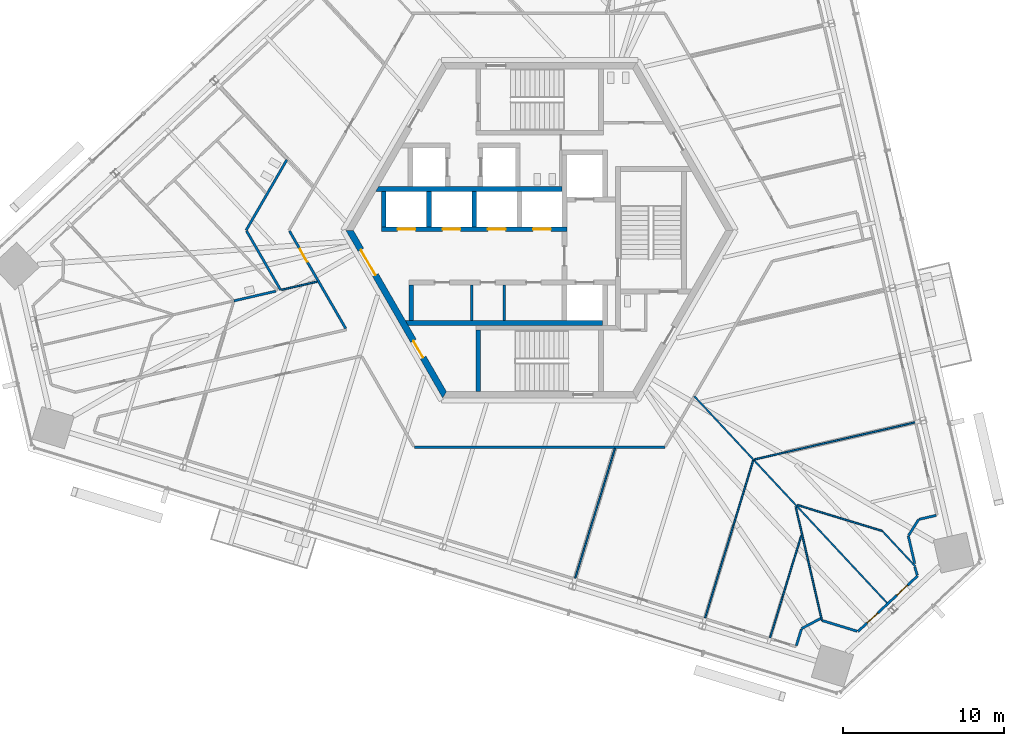
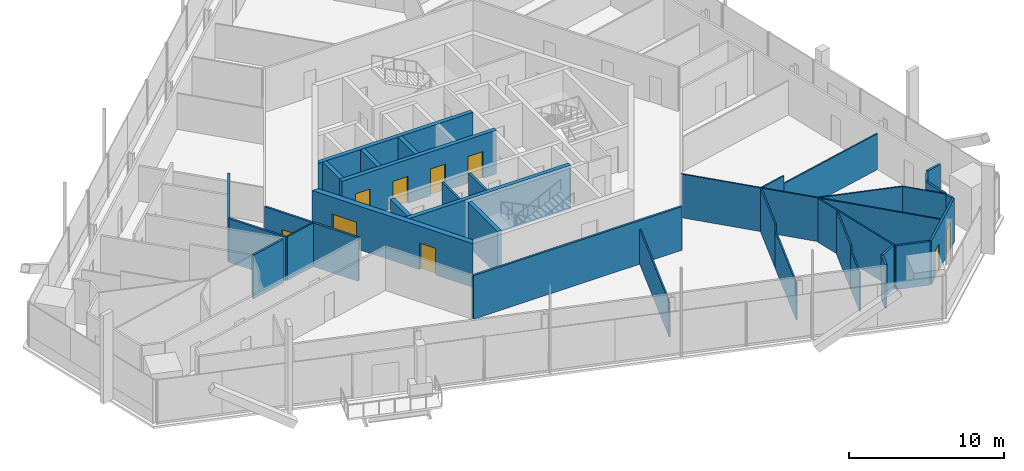
# One storey, part 13 of 24: 36 walls, 9 doors, 9 openings.
"""IFC4 building model written with IfcOpenShell, lengths in metres."""

from ifc_helpers import new_model, si_unit, direction, frame, frame_2d, origin, place, context, subcontext, project, spatial, polyline, rectangle, outline, extrude, source, transform, mapped, material, layer, layer_set, type_object, element, fill, save


model = new_model("IFC4")

# Units and contexts
model_context = context("Model", 3, precision=1e-05, world=origin(), true_north=direction((0.0, 1.0)))
body_context = subcontext(model_context, "Body", "Model", "MODEL_VIEW")
ifc_project = project(units=[si_unit("LENGTHUNIT", "METRE"), si_unit("AREAUNIT", "SQUARE_METRE"), si_unit("VOLUMEUNIT", "CUBIC_METRE"), si_unit("PLANEANGLEUNIT", "RADIAN"), si_unit("MASSUNIT", "GRAM", prefix="KILO")], contexts=[model_context])

# Site, building, storey
site_placement = place(None, origin())
site = spatial("IfcSite", under=ifc_project, at=site_placement, CompositionType="ELEMENT")
building_placement = place(site_placement, origin())
building = spatial("IfcBuilding", under=site, at=building_placement, Name="Triune Harvest Tower", CompositionType="ELEMENT")
storey_placement = place(building_placement, frame((0.0, 0.0, 127.10009765625)))
storey = spatial("IfcBuildingStorey", under=building, at=storey_placement, Name="L32", CompositionType="ELEMENT", Elevation=127.10009765625)

# Walls
ifc_material_1 = material(Name="Gypsum board on steel studs", Category="steel")
ifc_layer_1 = layer(ifc_material_1, 0.14990234375)
ifc_layer_set_1 = layer_set([ifc_layer_1], Name="Gypsum board on steel studs")
wall_type_1 = type_object("IfcWallType", Name="Fire Partition 150 mm", PredefinedType="PARTITIONING", material=ifc_layer_set_1)
wall_1_placement = place(storey_placement, frame((22.846435546875, -18.936279296875, 0.0), z_axis=(0.0, 0.0, 1.0), x_axis=(0.224940833951, -0.974372424292, 0.0)))
element("IfcWall", 1, at=wall_1_placement, inside=storey, type_object=wall_type_1, Name="Partition L32 005", PredefinedType="PARTITIONING", context=body_context, shape_type="SweptSolid", body=[
    extrude(rectangle(XDim=1.75390625, YDim=0.14990234375, at=frame_2d((0.876953125, 0.0))), origin(), (0.0, 0.0, 1.0), 3.43994140625),
])
wall_2_placement = place(storey_placement, frame((-18.152587890625, -0.043212890625, 0.0), z_axis=(0.0, 0.0, 1.0), x_axis=(0.499979177903, -0.866037425094, 0.0)))
element("IfcWall", 2, at=wall_2_placement, inside=storey, type_object=wall_type_1, Name="Partition L32 008", PredefinedType="PARTITIONING", context=body_context, shape_type="SweptSolid", body=[
    extrude(rectangle(XDim=4.225830078125, YDim=0.14990234375, at=frame_2d((2.11279296875, 0.0))), origin(), (0.0, 0.0, 1.0), 3.43994140625),
])

# Wall, opening, door
wall_3_placement = place(storey_placement, frame((-15.496826171875, -0.043212890625, 0.0), z_axis=(0.0, 0.0, 1.0), x_axis=(0.499999004009, -0.86602597882, 0.0)))
wall_3 = element("IfcWall", 3, at=wall_3_placement, inside=storey, type_object=wall_type_1, Name="Partition L32 009", PredefinedType="PARTITIONING", context=body_context, shape_type="SweptSolid", body=[
    extrude(rectangle(XDim=6.9794921875, YDim=0.14990234375, at=frame_2d((3.48974609375, 0.0))), origin(), (0.0, 0.0, 1.0), 3.43994140625),
])
opening_1_placement = place(wall_3_placement, frame((1.300048828125, 0.0, 0.0)))
opening_1 = element("IfcOpeningElement", 4, at=opening_1_placement, cuts=wall_3, Name="Opening L32-021", PredefinedType="OPENING", context=body_context, shape_type="SweptSolid", body=[
    extrude(rectangle(XDim=0.89990234375, YDim=2.10009765625, at=frame_2d((0.449951171875, 1.050048828125))), frame((0.0, 0.0849609375, 0.0), z_axis=(0.0, -1.0, 0.0), x_axis=(1.0, 0.0, 0.0)), (0.0, 0.0, 1.0), 0.169921875),
])
ifc_material_2 = material(Name="Timber and steel door set", Category="steel")
door_type_1 = type_object("IfcDoorType", Name="Single leaf door FD30 right hand 900 x 2100", OperationType="SINGLE_SWING_RIGHT", PredefinedType="DOOR", material=ifc_material_2)
door_1_placement = place(opening_1_placement, origin())
door_1 = element("IfcDoor", 5, at=door_1_placement, inside=storey, type_object=door_type_1, Name="Door L32-021 Cleaner's store 32.21", OperationType="SINGLE_SWING_RIGHT", OverallHeight=2.10009765625, OverallWidth=0.89990234375, PredefinedType="DOOR", context=body_context, shape_type="SweptSolid", body=[
    extrude(rectangle(XDim=0.89990234375, YDim=2.10009765625, at=frame_2d((0.449951171875, 1.050048828125))), frame((0.0, 0.02490234375, 0.0), z_axis=(0.0, -1.0, 0.0), x_axis=(1.0, 0.0, 0.0)), (0.0, 0.0, 1.0), 0.050048828125),
])
fill(opening_1, door_1)

# Walls
wall_4_placement = place(storey_placement, frame((17.522216796875, -24.181396484375, 0.0), z_axis=(0.0, 0.0, 1.0), x_axis=(0.956294448188, -0.292405417811, 0.0)))
element("IfcWall", 6, at=wall_4_placement, inside=storey, type_object=wall_type_1, Name="Partition L32 029", PredefinedType="PARTITIONING", context=body_context, shape_type="SweptSolid", body=[
    extrude(rectangle(XDim=2.2568359375, YDim=0.14990234375, at=frame_2d((1.12841796875, 0.0))), origin(), (0.0, 0.0, 1.0), 3.43994140625),
])
wall_5_placement = place(storey_placement, frame((-7.760986328125, -13.4423828125, 0.0), z_axis=(0.0, 0.0, 1.0), x_axis=(1.0, 0.0, 0.0)))
element("IfcWall", 7, at=wall_5_placement, inside=storey, type_object=wall_type_1, Name="Partition L32 034", PredefinedType="PARTITIONING", context=body_context, shape_type="SweptSolid", body=[
    extrude(rectangle(XDim=15.52197265625, YDim=0.14990234375, at=frame_2d((7.760986328125, 0.0))), origin(), (0.0, 0.0, 1.0), 3.43994140625),
])
wall_6_placement = place(storey_placement, frame((23.513916015625, -17.90771484375, 0.0), z_axis=(0.0, 0.0, 1.0), x_axis=(0.974402504733, 0.224810495238, 0.0)))
element("IfcWall", 8, at=wall_6_placement, inside=storey, type_object=wall_type_1, Name="Partition L32 036", PredefinedType="PARTITIONING", context=body_context, shape_type="SweptSolid", body=[
    extrude(rectangle(XDim=1.09130859375, YDim=0.14990234375, at=frame_2d((0.545654296875, 0.0))), origin(), (0.0, 0.0, 1.0), 3.43994140625),
])
wall_7_placement = place(storey_placement, frame((-18.93408203125, -4.371337890625, 0.0), z_axis=(0.0, 0.0, 1.0), x_axis=(0.974371116035, 0.224946500834, 0.0)))
element("IfcWall", 9, at=wall_7_placement, inside=storey, type_object=wall_type_1, Name="Partition L32 045", PredefinedType="PARTITIONING", context=body_context, shape_type="SweptSolid", body=[
    extrude(rectangle(XDim=2.66455078125, YDim=0.14990234375, at=frame_2d((1.332275390625, 0.0))), origin(), (0.0, 0.0, 1.0), 3.43994140625),
])

# Wall, openings, doors
wall_8_placement = place(storey_placement, frame((19.729248046875, -24.854736328125, 0.0), z_axis=(0.0, 0.0, 1.0), x_axis=(0.731361015516, 0.681990516785, 0.0)))
wall_8 = element("IfcWall", 10, at=wall_8_placement, inside=storey, type_object=wall_type_1, Name="Partition L32 054", PredefinedType="PARTITIONING", context=body_context, shape_type="SweptSolid", body=[
    extrude(rectangle(XDim=5.0439453125, YDim=0.14990234375, at=frame_2d((2.52197265625, 0.0))), origin(), (0.0, 0.0, 1.0), 3.43994140625),
])
opening_2_placement = place(wall_8_placement, frame((0.771728515625, 0.0, 0.0)))
opening_2 = element("IfcOpeningElement", 11, at=opening_2_placement, cuts=wall_8, Name="Opening L32-033", PredefinedType="OPENING", context=body_context, shape_type="SweptSolid", body=[
    extrude(rectangle(XDim=0.89990234375, YDim=2.10009765625, at=frame_2d((0.449951171875, 1.050048828125))), frame((0.0, 0.0849609375, 0.0), z_axis=(0.0, -1.0, 0.0), x_axis=(1.0, 0.0, 0.0)), (0.0, 0.0, 1.0), 0.169921875),
])
opening_3_placement = place(wall_8_placement, frame((3.2939453125, 0.0, 0.0)))
opening_3 = element("IfcOpeningElement", 12, at=opening_3_placement, cuts=wall_8, Name="Opening L32-034", PredefinedType="OPENING", context=body_context, shape_type="SweptSolid", body=[
    extrude(rectangle(XDim=0.89990234375, YDim=2.10009765625, at=frame_2d((0.449951171875, 1.050048828125))), frame((0.0, 0.0849609375, 0.0), z_axis=(0.0, -1.0, 0.0), x_axis=(1.0, 0.0, 0.0)), (0.0, 0.0, 1.0), 0.169921875),
])
ifc_material_3 = material(Name="Timber and steel door set", Category="steel")
door_type_2 = type_object("IfcDoorType", Name="Single leaf door FD30 left hand 900 x 2100", OperationType="SINGLE_SWING_LEFT", PredefinedType="DOOR", material=ifc_material_3)
door_2_placement = place(opening_2_placement, origin())
door_2 = element("IfcDoor", 13, at=door_2_placement, inside=storey, type_object=door_type_2, Name="Door L32-033 Meeting Room 32.33", OperationType="SINGLE_SWING_LEFT", OverallHeight=2.10009765625, OverallWidth=0.89990234375, PredefinedType="DOOR", context=body_context, shape_type="SweptSolid", body=[
    extrude(rectangle(XDim=0.89990234375, YDim=2.10009765625, at=frame_2d((0.449951171875, 1.050048828125))), frame((0.0, 0.02490234375, 0.0), z_axis=(0.0, -1.0, 0.0), x_axis=(1.0, 0.0, 0.0)), (0.0, 0.0, 1.0), 0.050048828125),
])
fill(opening_2, door_2)
door_3_placement = place(opening_3_placement, origin())
door_3 = element("IfcDoor", 14, at=door_3_placement, inside=storey, type_object=door_type_1, Name="Door L32-034 Office 32.34", OperationType="SINGLE_SWING_RIGHT", OverallHeight=2.10009765625, OverallWidth=0.89990234375, PredefinedType="DOOR", context=body_context, shape_type="SweptSolid", body=[
    extrude(rectangle(XDim=0.89990234375, YDim=2.10009765625, at=frame_2d((0.449951171875, 1.050048828125))), frame((0.0, 0.02490234375, 0.0), z_axis=(0.0, -1.0, 0.0), x_axis=(1.0, 0.0, 0.0)), (0.0, 0.0, 1.0), 0.050048828125),
])
fill(opening_3, door_3)

# Walls
wall_9_placement = place(storey_placement, frame((22.86181640625, -18.911376953125, 0.0), z_axis=(0.0, 0.0, 1.0), x_axis=(0.530017608383, 0.847986635982, 0.0)))
element("IfcWall", 15, at=wall_9_placement, inside=storey, type_object=wall_type_1, Name="Partition L32 061", PredefinedType="PARTITIONING", context=body_context, shape_type="SweptSolid", body=[
    extrude(rectangle(XDim=1.175537109375, YDim=0.14990234375, at=frame_2d((0.587890625, 0.0))), origin(), (0.0, 0.0, 1.0), 3.43994140625),
])
wall_10_placement = place(storey_placement, frame((-18.177490234375, -0.000244140625, 0.0), z_axis=(0.0, 0.0, 1.0), x_axis=(0.499963633755, 0.866046398827, 0.0)))
element("IfcWall", 16, at=wall_10_placement, inside=storey, type_object=wall_type_1, Name="Partition L32 064", PredefinedType="PARTITIONING", context=body_context, shape_type="SweptSolid", body=[
    extrude(rectangle(XDim=5.05322265625, YDim=0.14990234375, at=frame_2d((2.526611328125, 0.0))), origin(), (0.0, 0.0, 1.0), 3.43994140625),
])
wall_11_placement = place(storey_placement, frame((23.40185546875, -21.3623046875, 0.0), z_axis=(0.0, 0.0, 1.0), x_axis=(-0.296879160271, 0.954915056011, 0.0)))
element("IfcWall", 17, at=wall_11_placement, inside=storey, type_object=wall_type_1, Name="Partition L32 076", PredefinedType="PARTITIONING", context=body_context, shape_type="SweptSolid", body=[
    extrude(rectangle(XDim=0.52783203125, YDim=0.14990234375, at=frame_2d((0.263916015625, 0.0))), origin(), (0.0, 0.0, 1.0), 3.43994140625),
])
ifc_material_4 = material(Name="Gypsum board on steel studs", Category="steel")
ifc_layer_2 = layer(ifc_material_4, 0.10009765625)
ifc_layer_set_2 = layer_set([ifc_layer_2], Name="Gypsum board on steel studs")
wall_type_2 = type_object("IfcWallType", Name="Partition 100 mm", PredefinedType="PARTITIONING", material=ifc_layer_set_2)
wall_12_placement = place(storey_placement, frame((9.58642578125, -10.2802734375, 0.0), z_axis=(0.0, 0.0, 1.0), x_axis=(0.681999962516, -0.731352207304, 0.0)))
element("IfcWall", 18, at=wall_12_placement, inside=storey, type_object=wall_type_2, Name="Partition L32 020", PredefinedType="PARTITIONING", context=body_context, shape_type="SweptSolid", body=[
    extrude(rectangle(XDim=17.576416015625, YDim=0.10009765625, at=frame_2d((8.7880859375, 0.0))), origin(), (0.0, 0.0, 1.0), 3.43994140625),
])
wall_13_placement = place(storey_placement, frame((21.244384765625, -18.639404296875, 0.0), z_axis=(0.0, 0.0, 1.0), x_axis=(0.682035736351, -0.73131884588, 0.0)))
element("IfcWall", 19, at=wall_13_placement, inside=storey, type_object=wall_type_2, Name="Partition L32 021", PredefinedType="PARTITIONING", context=body_context, shape_type="SweptSolid", body=[
    extrude(rectangle(XDim=2.987060546875, YDim=0.10009765625, at=frame_2d((1.49365234375, 0.0))), origin(), (0.0, 0.0, 1.0), 3.43994140625),
])
wall_14_placement = place(storey_placement, frame((15.968505859375, -17.020263671875, 0.0), z_axis=(0.0, 0.0, 1.0), x_axis=(0.956303406033, -0.292376120108, 0.0)))
element("IfcWall", 20, at=wall_14_placement, inside=storey, type_object=wall_type_2, Name="Partition L32 031", PredefinedType="PARTITIONING", context=body_context, shape_type="SweptSolid", body=[
    extrude(rectangle(XDim=5.51025390625, YDim=0.10009765625, at=frame_2d((2.755126953125, 0.0))), origin(), (0.0, 0.0, 1.0), 3.43994140625),
])
wall_15_placement = place(storey_placement, frame((15.193359375, -13.763916015625, 0.0), z_axis=(0.0, 0.0, 1.0), x_axis=(0.974368791868, 0.224956567885, 0.0)))
element("IfcWall", 21, at=wall_15_placement, inside=storey, type_object=wall_type_2, Name="Partition L32 037a", PredefinedType="PARTITIONING", context=body_context, shape_type="SweptSolid", body=[
    extrude(rectangle(XDim=8.2666015625, YDim=0.10009765625, at=frame_2d((4.13330078125, 0.0))), origin(), (0.0, 0.0, 1.0), 2.82763671875),
])
wall_16_placement = place(storey_placement, frame((-15.984375, -3.690185546875, 0.0), z_axis=(0.0, 0.0, 1.0), x_axis=(0.974376745576, 0.2249221147, 0.0)))
element("IfcWall", 22, at=wall_16_placement, inside=storey, type_object=wall_type_2, Name="Partition L32 046", PredefinedType="PARTITIONING", context=body_context, shape_type="SweptSolid", body=[
    extrude(rectangle(XDim=2.2783203125, YDim=0.10009765625, at=frame_2d((1.13916015625, 0.0))), origin(), (0.0, 0.0, 1.0), 3.43994140625),
])
wall_17_placement = place(storey_placement, frame((14.27978515625, -25.2421875, 0.0), z_axis=(0.0, 0.0, 1.0), x_axis=(0.29244865642, 0.956281226083, 0.0)))
element("IfcWall", 23, at=wall_17_placement, inside=storey, type_object=wall_type_2, Name="Partition L32 066", PredefinedType="PARTITIONING", context=body_context, shape_type="SweptSolid", body=[
    extrude(rectangle(XDim=2.641357421875, YDim=0.10009765625, at=frame_2d((1.32080078125, 0.0))), origin(), (0.0, 0.0, 1.0), 3.023193359375),
])
wall_18_placement = place(storey_placement, frame((15.05224609375, -22.71630859375, 0.0), z_axis=(0.0, 0.0, 1.0), x_axis=(0.292384788818, 0.956300755656, 0.0)))
element("IfcWall", 24, at=wall_18_placement, inside=storey, type_object=wall_type_2, Name="Partition L32 066a", PredefinedType="PARTITIONING", context=body_context, shape_type="SweptSolid", body=[
    extrude(rectangle(XDim=3.95458984375, YDim=0.10009765625, at=frame_2d((1.977294921875, 0.0))), origin(), (0.0, 0.0, 1.0), 3.43994140625),
])
wall_19_placement = place(storey_placement, frame((10.256591796875, -24.01220703125, 0.0), z_axis=(0.0, 0.0, 1.0), x_axis=(0.292373045041, 0.956304346186, 0.0)))
element("IfcWall", 25, at=wall_19_placement, inside=storey, type_object=wall_type_2, Name="Partition L32 067", PredefinedType="PARTITIONING", context=body_context, shape_type="SweptSolid", body=[
    extrude(rectangle(XDim=6.021484375, YDim=0.10009765625, at=frame_2d((3.0107421875, 0.0))), origin(), (0.0, 0.0, 1.0), 2.90380859375),
])
wall_20_placement = place(storey_placement, frame((12.01708984375, -18.25390625, 0.0), z_axis=(0.0, 0.0, 1.0), x_axis=(0.292380789886, 0.956301978303, 0.0)))
element("IfcWall", 26, at=wall_20_placement, inside=storey, type_object=wall_type_2, Name="Partition L32 067a", PredefinedType="PARTITIONING", context=body_context, shape_type="SweptSolid", body=[
    extrude(rectangle(XDim=4.166748046875, YDim=0.10009765625, at=frame_2d((2.08349609375, 0.0))), origin(), (0.0, 0.0, 1.0), 3.43994140625),
])
wall_21_placement = place(storey_placement, frame((2.209716796875, -21.552001953125, 0.0), z_axis=(0.0, 0.0, 1.0), x_axis=(0.292380044912, 0.956302206071, 0.0)))
element("IfcWall", 27, at=wall_21_placement, inside=storey, type_object=wall_type_2, Name="Partition L32 068", PredefinedType="PARTITIONING", context=body_context, shape_type="SweptSolid", body=[
    extrude(rectangle(XDim=8.41015625, YDim=0.10009765625, at=frame_2d((4.205078125, 0.0))), origin(), (0.0, 0.0, 1.0), 2.756591796875),
])

# Wall, openings, doors
ifc_material_5 = material(Name="Concrete 70 MPa", Category="concrete")
ifc_layer_3 = layer(ifc_material_5, 0.39990234375)
ifc_layer_set_3 = layer_set([ifc_layer_3], Name="Concrete 70 MPa")
wall_type_3 = type_object("IfcWallType", Name="Core wall 400", PredefinedType="SHEAR", material=ifc_layer_set_3)
shared_shape_1 = source(origin(), body_context, "Body", "SweptSolid", [
    extrude(outline(polyline([(-0.115478515625, -0.199951171875), (11.884521484375, -0.199951171875), (11.653564453125, 0.199951171875), (0.115478515625, 0.199951171875), (-0.115478515625, -0.199951171875)])), origin(), (0.0, 0.0, 1.0), 3.43994140625),
])
wall_22_placement = place(storey_placement, frame((-11.76904296875, 0.0, 0.0), z_axis=(0.0, 0.0, 1.0), x_axis=(0.499996592174, -0.866027371285, 0.0)))
wall_22 = element("IfcWall", 28, at=wall_22_placement, inside=storey, type_object=wall_type_3, Name="Hexagon 3 wall", PredefinedType="SHEAR", context=body_context, shape_type="MappedRepresentation", body=[
    mapped(shared_shape_1, transform((0.0, 0.0, 0.0), scale=1.0)),
])
opening_4_placement = place(wall_22_placement, frame((1.404541015625, 0.0, 0.0)))
opening_4 = element("IfcOpeningElement", 29, at=opening_4_placement, cuts=wall_22, Name="Opening CD-LS", PredefinedType="OPENING", context=body_context, shape_type="SweptSolid", body=[
    extrude(rectangle(XDim=1.800048828125, YDim=2.10009765625, at=frame_2d((0.89990234375, 1.050048828125))), frame((0.0, 0.2099609375, 0.0), z_axis=(0.0, -1.0, 0.0), x_axis=(1.0, 0.0, 0.0)), (0.0, 0.0, 1.0), 0.419921875),
])
opening_5_placement = place(wall_22_placement, frame((7.91455078125, 0.0, 0.0)))
opening_5 = element("IfcOpeningElement", 30, at=opening_5_placement, cuts=wall_22, Name="Opening CD-SWP", PredefinedType="OPENING", context=body_context, shape_type="SweptSolid", body=[
    extrude(rectangle(XDim=1.199951171875, YDim=2.10009765625, at=frame_2d((0.60009765625, 1.050048828125))), frame((0.0, 0.2099609375, 0.0), z_axis=(0.0, -1.0, 0.0), x_axis=(1.0, 0.0, 0.0)), (0.0, 0.0, 1.0), 0.419921875),
])
ifc_material_6 = material(Name="Steel S235", Category="steel")
door_type_3 = type_object("IfcDoorType", Name="Lobby door 1800 FD120", OperationType="DOUBLE_DOOR_DOUBLE_SWING", PredefinedType="DOOR", material=ifc_material_6)
door_4_placement = place(opening_4_placement, frame((1.800048828125, 0.0, 0.0), z_axis=(0.0, 0.0, 1.0), x_axis=(-1.0, 0.0, 0.0)))
door_4 = element("IfcDoor", 31, at=door_4_placement, inside=storey, type_object=door_type_3, Name="Door CD-LS", OperationType="DOUBLE_DOOR_DOUBLE_SWING", OverallHeight=2.10009765625, OverallWidth=1.800048828125, PredefinedType="DOOR", context=body_context, shape_type="SweptSolid", body=[
    extrude(rectangle(XDim=1.800048828125, YDim=2.10009765625, at=frame_2d((0.89990234375, 1.050048828125))), frame((0.0, 0.02490234375, 0.0), z_axis=(0.0, -1.0, 0.0), x_axis=(1.0, 0.0, 0.0)), (0.0, 0.0, 1.0), 0.050048828125),
])
fill(opening_4, door_4)
ifc_material_7 = material(Name="Steel S235", Category="steel")
door_type_4 = type_object("IfcDoorType", Name="Service door 1200 FD120", OperationType="SINGLE_SWING_LEFT", PredefinedType="DOOR", material=ifc_material_7)
door_5_placement = place(opening_5_placement, frame((1.199951171875, 0.0, 0.0), z_axis=(0.0, 0.0, 1.0), x_axis=(-1.0, 0.0, 0.0)))
door_5 = element("IfcDoor", 32, at=door_5_placement, inside=storey, type_object=door_type_4, Name="Door CD-SWP", OperationType="SINGLE_SWING_RIGHT", OverallHeight=2.10009765625, OverallWidth=1.199951171875, PredefinedType="DOOR", context=body_context, shape_type="SweptSolid", body=[
    extrude(rectangle(XDim=1.199951171875, YDim=2.10009765625, at=frame_2d((0.60009765625, 1.050048828125))), frame((0.0, 0.02490234375, 0.0), z_axis=(0.0, -1.0, 0.0), x_axis=(1.0, 0.0, 0.0)), (0.0, 0.0, 1.0), 0.050048828125),
])
fill(opening_5, door_5)

ifc_material_8 = material(Name="Concrete 70 MPa", Category="concrete")
ifc_layer_4 = layer(ifc_material_8, 0.300048828125)
ifc_layer_set_4 = layer_set([ifc_layer_4], Name="Concrete 70 MPa")
wall_type_4 = type_object("IfcWallType", Name="Core wall 300", PredefinedType="SHEAR", material=ifc_layer_set_4)
shared_shape_2 = source(origin(), body_context, "Body", "SweptSolid", [
    extrude(rectangle(XDim=11.5, YDim=0.300048828125, at=frame_2d((5.75, 0.0))), origin(), (0.0, 0.0, 1.0), 3.43994140625),
])
wall_23_placement = place(storey_placement, frame((-9.800048828125, 0.06005859375, 0.0), z_axis=(0.0, 0.0, 1.0), x_axis=(1.0, 0.0, 0.0)))
wall_23 = element("IfcWall", 33, at=wall_23_placement, inside=storey, type_object=wall_type_4, Name="North front wall", PredefinedType="SHEAR", context=body_context, shape_type="MappedRepresentation", body=[
    mapped(shared_shape_2, transform((0.0, 0.0, 0.0), scale=1.0)),
])
opening_6_placement = place(wall_23_placement, frame((1.0, 0.0, 0.0)))
opening_6 = element("IfcOpeningElement", 34, at=opening_6_placement, cuts=wall_23, Name="Opening LD-LR1-32", PredefinedType="OPENING", context=body_context, shape_type="SweptSolid", body=[
    extrude(rectangle(XDim=1.10009765625, YDim=2.10009765625, at=frame_2d((0.550048828125, 1.050048828125))), frame((0.0, 0.16015625, 0.0), z_axis=(0.0, -1.0, 0.0), x_axis=(1.0, 0.0, 0.0)), (0.0, 0.0, 1.0), 0.320068359375),
])
opening_7_placement = place(wall_23_placement, frame((3.800048828125, 0.0, 0.0)))
opening_7 = element("IfcOpeningElement", 35, at=opening_7_placement, cuts=wall_23, Name="Opening LD-LR2-32", PredefinedType="OPENING", context=body_context, shape_type="SweptSolid", body=[
    extrude(rectangle(XDim=1.10009765625, YDim=2.10009765625, at=frame_2d((0.550048828125, 1.050048828125))), frame((0.0, 0.16015625, 0.0), z_axis=(0.0, -1.0, 0.0), x_axis=(1.0, 0.0, 0.0)), (0.0, 0.0, 1.0), 0.320068359375),
])
opening_8_placement = place(wall_23_placement, frame((6.60009765625, 0.0, 0.0)))
opening_8 = element("IfcOpeningElement", 36, at=opening_8_placement, cuts=wall_23, Name="Opening LD-LR3-32", PredefinedType="OPENING", context=body_context, shape_type="SweptSolid", body=[
    extrude(rectangle(XDim=1.10009765625, YDim=2.10009765625, at=frame_2d((0.550048828125, 1.050048828125))), frame((0.0, 0.16015625, 0.0), z_axis=(0.0, -1.0, 0.0), x_axis=(1.0, 0.0, 0.0)), (0.0, 0.0, 1.0), 0.320068359375),
])
opening_9_placement = place(wall_23_placement, frame((9.39990234375, 0.0, 0.0)))
opening_9 = element("IfcOpeningElement", 37, at=opening_9_placement, cuts=wall_23, Name="Opening LD-LR4-32", PredefinedType="OPENING", context=body_context, shape_type="SweptSolid", body=[
    extrude(rectangle(XDim=1.10009765625, YDim=2.10009765625, at=frame_2d((0.550048828125, 1.050048828125))), frame((0.0, 0.16015625, 0.0), z_axis=(0.0, -1.0, 0.0), x_axis=(1.0, 0.0, 0.0)), (0.0, 0.0, 1.0), 0.320068359375),
])
ifc_material_9 = material(Name="Stainless steel AISI 304", Category="steel")
door_type_5 = type_object("IfcDoorType", Name="Landing door 1100 x 2100", OperationType="DOUBLE_DOOR_SLIDING", PredefinedType="DOOR", material=ifc_material_9)
door_6_placement = place(opening_6_placement, origin())
door_6 = element("IfcDoor", 38, at=door_6_placement, inside=storey, type_object=door_type_5, Name="Door LD-LR1-32", OperationType="DOUBLE_DOOR_SLIDING", OverallHeight=2.10009765625, OverallWidth=1.10009765625, PredefinedType="DOOR", context=body_context, shape_type="SweptSolid", body=[
    extrude(rectangle(XDim=1.10009765625, YDim=2.10009765625, at=frame_2d((0.550048828125, 1.050048828125))), frame((0.0, 0.02490234375, 0.0), z_axis=(0.0, -1.0, 0.0), x_axis=(1.0, 0.0, 0.0)), (0.0, 0.0, 1.0), 0.050048828125),
])
fill(opening_6, door_6)
door_7_placement = place(opening_7_placement, origin())
door_7 = element("IfcDoor", 39, at=door_7_placement, inside=storey, type_object=door_type_5, Name="Door LD-LR2-32", OperationType="DOUBLE_DOOR_SLIDING", OverallHeight=2.10009765625, OverallWidth=1.10009765625, PredefinedType="DOOR", context=body_context, shape_type="SweptSolid", body=[
    extrude(rectangle(XDim=1.10009765625, YDim=2.10009765625, at=frame_2d((0.550048828125, 1.050048828125))), frame((0.0, 0.02490234375, 0.0), z_axis=(0.0, -1.0, 0.0), x_axis=(1.0, 0.0, 0.0)), (0.0, 0.0, 1.0), 0.050048828125),
])
fill(opening_7, door_7)
door_8_placement = place(opening_8_placement, origin())
door_8 = element("IfcDoor", 40, at=door_8_placement, inside=storey, type_object=door_type_5, Name="Door LD-LR3-32", OperationType="DOUBLE_DOOR_SLIDING", OverallHeight=2.10009765625, OverallWidth=1.10009765625, PredefinedType="DOOR", context=body_context, shape_type="SweptSolid", body=[
    extrude(rectangle(XDim=1.10009765625, YDim=2.10009765625, at=frame_2d((0.550048828125, 1.050048828125))), frame((0.0, 0.02490234375, 0.0), z_axis=(0.0, -1.0, 0.0), x_axis=(1.0, 0.0, 0.0)), (0.0, 0.0, 1.0), 0.050048828125),
])
fill(opening_8, door_8)
door_9_placement = place(opening_9_placement, origin())
door_9 = element("IfcDoor", 41, at=door_9_placement, inside=storey, type_object=door_type_5, Name="Door LD-LR4-32", OperationType="DOUBLE_DOOR_SLIDING", OverallHeight=2.10009765625, OverallWidth=1.10009765625, PredefinedType="DOOR", context=body_context, shape_type="SweptSolid", body=[
    extrude(rectangle(XDim=1.10009765625, YDim=2.10009765625, at=frame_2d((0.550048828125, 1.050048828125))), frame((0.0, 0.02490234375, 0.0), z_axis=(0.0, -1.0, 0.0), x_axis=(1.0, 0.0, 0.0)), (0.0, 0.0, 1.0), 0.050048828125),
])
fill(opening_9, door_9)

# Walls
shared_shape_3 = source(origin(), body_context, "Body", "SweptSolid", [
    extrude(outline(polyline([(11.199951171875, -0.14990234375), (-0.34912109375, -0.14990234375), (-0.17578125, 0.14990234375), (11.199951171875, 0.14990234375), (11.199951171875, -0.14990234375)])), origin(), (0.0, 0.0, 1.0), 3.43994140625),
])
wall_24_placement = place(storey_placement, frame((-9.800048828125, 2.56005859375, 0.0), z_axis=(0.0, 0.0, 1.0), x_axis=(1.0, 0.0, 0.0)))
element("IfcWall", 42, at=wall_24_placement, inside=storey, type_object=wall_type_4, Name="North back wall", PredefinedType="SHEAR", context=body_context, shape_type="MappedRepresentation", body=[
    mapped(shared_shape_3, transform((0.0, 0.0, 0.0), scale=1.0)),
])
shared_shape_4 = source(origin(), body_context, "Body", "SweptSolid", [
    extrude(outline(polyline([(12.0, -0.14990234375), (-0.039794921875, -0.14990234375), (-0.212890625, 0.14990234375), (12.0, 0.14990234375), (12.0, -0.14990234375)])), origin(), (0.0, 0.0, 1.0), 3.43994140625),
])
wall_25_placement = place(storey_placement, frame((-8.10009765625, -5.739990234375, 0.0), z_axis=(0.0, 0.0, 1.0), x_axis=(1.0, 0.0, 0.0)))
element("IfcWall", 43, at=wall_25_placement, inside=storey, type_object=wall_type_4, Name="South back wall", PredefinedType="SHEAR", context=body_context, shape_type="MappedRepresentation", body=[
    mapped(shared_shape_4, transform((0.0, 0.0, 0.0), scale=1.0)),
])
shared_shape_5 = source(origin(), body_context, "Body", "SweptSolid", [
    extrude(rectangle(XDim=2.2001953125, YDim=0.300048828125, at=frame_2d((1.10009765625, 0.0))), origin(), (0.0, 0.0, 1.0), 3.43994140625),
])
wall_26_placement = place(storey_placement, frame((-7.949951171875, -5.590087890625, 0.0), z_axis=(0.0, 0.0, 1.0), x_axis=(0.0, 1.0, 0.0)))
element("IfcWall", 44, at=wall_26_placement, inside=storey, type_object=wall_type_4, Name="South end west wall", PredefinedType="SHEAR", context=body_context, shape_type="MappedRepresentation", body=[
    mapped(shared_shape_5, transform((0.0, 0.0, 0.0), scale=1.0)),
])
shared_shape_6 = source(origin(), body_context, "Body", "SweptSolid", [
    extrude(rectangle(XDim=2.199951171875, YDim=0.300048828125, at=frame_2d((1.10009765625, 0.0))), origin(), (0.0, 0.0, 1.0), 3.43994140625),
])
for number, where, z_axis, x_axis, name in (
    (45, (-9.64990234375, 0.2099609375, 0.0), (0.0, 0.0, 1.0), (0.0, 1.0, 0.0), "North end west wall"),
    (46, (-6.85009765625, 0.2099609375, 0.0), (0.0, 0.0, 1.0), (0.0, 1.0, 0.0), "North cross 1 wall"),
    (47, (-4.050048828125, 0.2099609375, 0.0), (0.0, 0.0, 1.0), (0.0, 1.0, 0.0), "North cross 2 wall"),
):
    element("IfcWall", number, at=place(storey_placement, frame(where, z_axis=z_axis, x_axis=x_axis)), inside=storey, type_object=wall_type_4, Name=name, PredefinedType="SHEAR", context=body_context, shape_type="MappedRepresentation", body=[
        mapped(shared_shape_6, transform((0.0, 0.0, 0.0), scale=1.0)),
    ])
shared_shape_7 = source(origin(), body_context, "Body", "SweptSolid", [
    extrude(outline(polyline([(3.800048828125, -0.14990234375), (-0.00439453125, -0.14990234375), (-0.00439453125, 0.14990234375), (3.800048828125, 0.14990234375), (3.800048828125, -0.14990234375)])), origin(), (0.0, 0.0, 1.0), 3.43994140625),
])
wall_27_placement = place(storey_placement, frame((-3.800048828125, -9.989990234375, 0.0), z_axis=(0.0, 0.0, 1.0), x_axis=(0.0, 1.0, 0.0)))
element("IfcWall", 48, at=wall_27_placement, inside=storey, type_object=wall_type_4, Name="Stair s west wall", PredefinedType="SHEAR", context=body_context, shape_type="MappedRepresentation", body=[
    mapped(shared_shape_7, transform((0.0, 0.0, 0.0), scale=1.0)),
])
ifc_material_10 = material(Name="Concrete masonry unit", Category="masonry")
ifc_layer_5 = layer(ifc_material_10, 0.14990234375)
ifc_layer_set_5 = layer_set([ifc_layer_5], Name="Concrete masonry unit")
wall_type_5 = type_object("IfcWallType", Name="Block partition 150", PredefinedType="PARTITIONING", material=ifc_layer_set_5)
shared_shape_8 = source(origin(), body_context, "Body", "SweptSolid", [
    extrude(rectangle(XDim=2.2001953125, YDim=0.14990234375, at=frame_2d((1.10009765625, 0.0))), origin(), (0.0, 0.0, 1.0), 3.43994140625),
])
for number, where, z_axis, x_axis, name in (
    (49, (-4.199951171875, -5.590087890625, 0.0), (0.0, 0.0, 1.0), (0.0, 1.0, 0.0), "Row s part 1 wall"),
    (50, (-2.199951171875, -5.590087890625, 0.0), (0.0, 0.0, 1.0), (0.0, 1.0, 0.0), "Row s part 2 wall"),
):
    element("IfcWall", number, at=place(storey_placement, frame(where, z_axis=z_axis, x_axis=x_axis)), inside=storey, type_object=wall_type_5, Name=name, PredefinedType="PARTITIONING", context=body_context, shape_type="MappedRepresentation", body=[
        mapped(shared_shape_8, transform((0.0, 0.0, 0.0), scale=1.0)),
    ])
shared_shape_9 = source(origin(), body_context, "Body", "SweptSolid", [
    extrude(rectangle(XDim=1.931640625, YDim=0.10009765625, at=frame_2d((0.9658203125, 0.0))), origin(), (0.0, 0.0, 1.0), 3.43994140625),
])
wall_28_placement = place(storey_placement, frame((13.311279296875, -14.198486328125, 0.0), z_axis=(0.0, 0.0, 1.0), x_axis=(0.974363495461, 0.224979507319, 0.0)))
element("IfcWall", 51, at=wall_28_placement, inside=storey, type_object=wall_type_2, Name="Partition L32 037", PredefinedType="PARTITIONING", context=body_context, shape_type="MappedRepresentation", body=[
    mapped(shared_shape_9, transform((0.0, 0.0, 0.0), scale=1.0)),
])
shared_shape_10 = source(origin(), body_context, "Body", "SweptSolid", [
    extrude(rectangle(XDim=7.230712890625, YDim=0.10009765625, at=frame_2d((3.615234375, 0.0))), origin(), (0.0, 0.0, 1.0), 3.43994140625),
])
wall_29_placement = place(storey_placement, frame((15.867919921875, -17.126220703125, 0.0), z_axis=(0.0, 0.0, 1.0), x_axis=(0.224938416014, -0.974372982487, 0.0)))
element("IfcWall", 52, at=wall_29_placement, inside=storey, type_object=wall_type_2, Name="Partition L32 003", PredefinedType="PARTITIONING", context=body_context, shape_type="MappedRepresentation", body=[
    mapped(shared_shape_10, transform((0.0, 0.0, 0.0), scale=1.0)),
])
shared_shape_11 = source(origin(), body_context, "Body", "SweptSolid", [
    extrude(rectangle(XDim=1.08154296875, YDim=0.14990234375, at=frame_2d((0.540771484375, 0.0))), origin(), (0.0, 0.0, 1.0), 3.43994140625),
])
wall_30_placement = place(storey_placement, frame((15.90771484375, -25.739990234375, 0.0), z_axis=(0.0, 0.0, 1.0), x_axis=(0.292562627041, 0.956246364311, 0.0)))
element("IfcWall", 53, at=wall_30_placement, inside=storey, type_object=wall_type_1, Name="Partition L32 065", PredefinedType="PARTITIONING", context=body_context, shape_type="MappedRepresentation", body=[
    mapped(shared_shape_11, transform((0.0, 0.0, 0.0), scale=1.0)),
])
shared_shape_12 = source(origin(), body_context, "Body", "SweptSolid", [
    extrude(rectangle(XDim=1.34033203125, YDim=0.14990234375, at=frame_2d((0.670166015625, 0.0))), origin(), (0.0, 0.0, 1.0), 3.43994140625),
])
wall_31_placement = place(storey_placement, frame((16.23291015625, -24.677001953125, 0.0), z_axis=(0.0, 0.0, 1.0), x_axis=(0.883002499402, 0.469368284026, 0.0)))
element("IfcWall", 54, at=wall_31_placement, inside=storey, type_object=wall_type_1, Name="Partition L32 053", PredefinedType="PARTITIONING", context=body_context, shape_type="MappedRepresentation", body=[
    mapped(shared_shape_12, transform((0.0, 0.0, 0.0), scale=1.0)),
])

save(model, "model.ifc")
